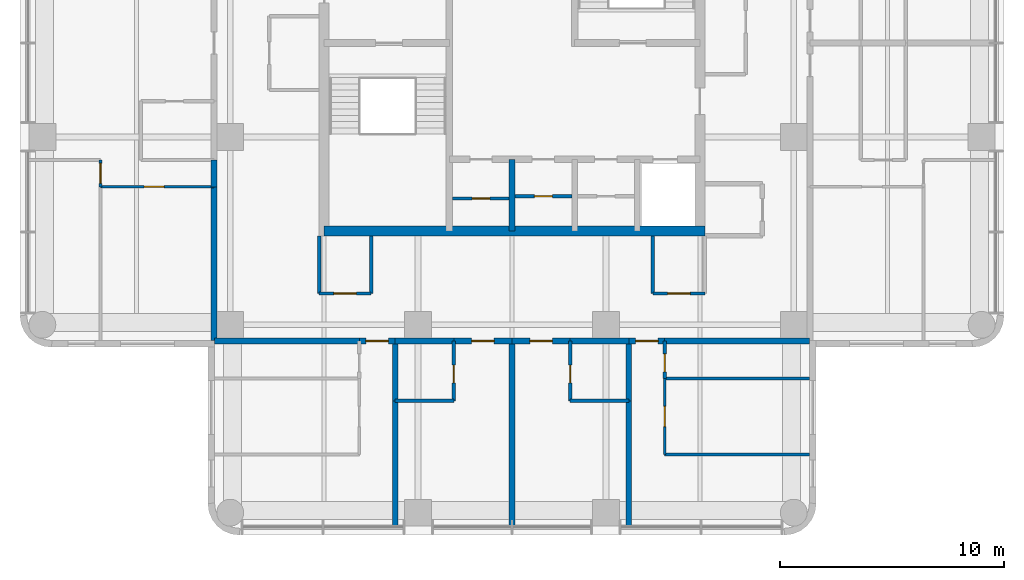
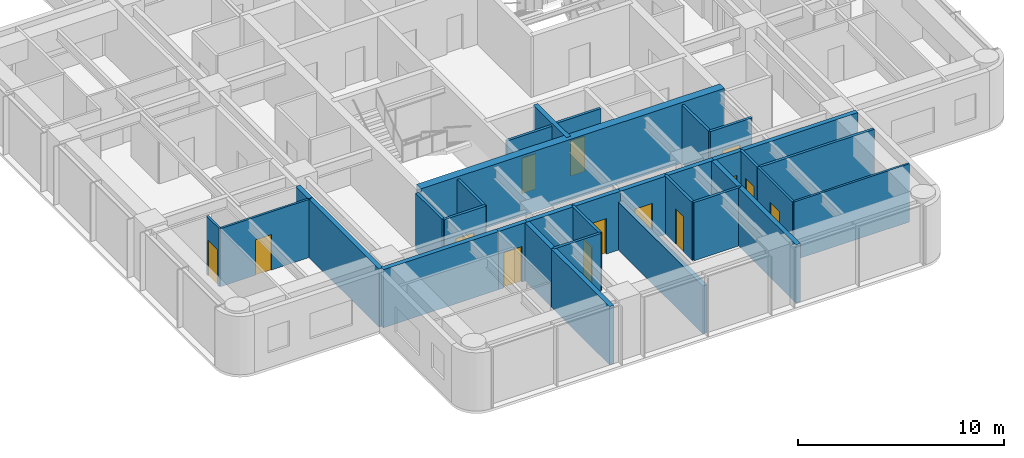
# One storey, part 4 of 10: 34 walls, 14 doors, 14 openings.
"""IFC4 building model written with IfcOpenShell, lengths in metres."""

from ifc_helpers import new_model, si_unit, direction, frame, frame_2d, origin, place, context, subcontext, project, spatial, rectangle, extrude, material, layer, layer_set, type_object, element, fill, save


model = new_model("IFC4")

# Units and contexts
model_context = context("Model", 3, precision=1e-05, world=origin(), true_north=direction((0.0, 1.0)))
body_context = subcontext(model_context, "Body", "Model", "MODEL_VIEW")
ifc_project = project(units=[si_unit("LENGTHUNIT", "METRE"), si_unit("AREAUNIT", "SQUARE_METRE"), si_unit("VOLUMEUNIT", "CUBIC_METRE"), si_unit("PLANEANGLEUNIT", "RADIAN"), si_unit("MASSUNIT", "GRAM", prefix="KILO")], contexts=[model_context])

# Site, building, storey
site_placement = place(None, origin())
site = spatial("IfcSite", under=ifc_project, at=site_placement, CompositionType="ELEMENT")
building_placement = place(site_placement, origin())
building = spatial("IfcBuilding", under=site, at=building_placement, Name="Torre Alcanfor", CompositionType="ELEMENT")
storey_placement = place(building_placement, frame((0.0, 0.0, 272.10009765625)))
storey = spatial("IfcBuildingStorey", under=building, at=storey_placement, Name="L71", CompositionType="ELEMENT", Elevation=272.10009765625)

# Wall, opening, door
ifc_material_1 = material(Name="Concrete block masonry, hollow blocks NMX-C-404 9 MPa", Category="masonry")
ifc_layer_1 = layer(ifc_material_1, 0.25)
ifc_layer_set_1 = layer_set([ifc_layer_1], Name="Apartment entrance wall 250 EI 60")
wall_type_1 = type_object("IfcWallType", Name="Apartment entrance wall 250 EI 60", PredefinedType="PARTITIONING", material=ifc_layer_set_1)
wall_1_placement = place(storey_placement, frame((32.0, 16.074951171875, 0.0), z_axis=(0.0, 0.0, 1.0), x_axis=(-1.0, 0.0, 0.0)))
wall_1 = element("IfcWall", 1, at=wall_1_placement, inside=storey, type_object=wall_type_1, Name="Partition L71-CORR / L71-S1A-STUDIO", PredefinedType="PARTITIONING", context=body_context, shape_type="SweptSolid", body=[
    extrude(rectangle(XDim=2.60009765625, YDim=0.25, at=frame_2d((1.300048828125, 0.0))), origin(), (0.0, 0.0, 1.0), 3.449951171875),
])
opening_1_placement = place(wall_1_placement, frame((0.800048828125, 0.0, 0.0)))
opening_1 = element("IfcOpeningElement", 2, at=opening_1_placement, cuts=wall_1, Name="Opening D-A1", PredefinedType="OPENING", context=body_context, shape_type="SweptSolid", body=[
    extrude(rectangle(XDim=1.0, YDim=2.10009765625, at=frame_2d((0.5, 1.050048828125))), frame((0.0, 0.135009765625, 0.0), z_axis=(0.0, -1.0, 0.0), x_axis=(1.0, 0.0, 0.0)), (0.0, 0.0, 1.0), 0.27001953125),
])
ifc_material_2 = material(Name="Galvanised steel sheet ASTM A653", Category="steel")
door_type_1 = type_object("IfcDoorType", Name="Apartment entrance door FD60 1000x2100", OperationType="SINGLE_SWING_LEFT", PredefinedType="DOOR", material=ifc_material_2)
door_1_placement = place(opening_1_placement, origin())
door_1 = element("IfcDoor", 3, at=door_1_placement, inside=storey, type_object=door_type_1, Name="Apartment entrance L71-S1A", OperationType="SINGLE_SWING_LEFT", OverallHeight=2.10009765625, OverallWidth=1.0, PredefinedType="DOOR", context=body_context, shape_type="SweptSolid", body=[
    extrude(rectangle(XDim=1.0, YDim=2.10009765625, at=frame_2d((0.5, 1.050048828125))), frame((0.0, 0.02490234375, 0.0), z_axis=(0.0, -1.0, 0.0), x_axis=(1.0, 0.0, 0.0)), (0.0, 0.0, 1.0), 0.050048828125),
])
fill(opening_1, door_1)

# Wall
wall_2_placement = place(storey_placement, frame((34.62890625, 16.074951171875, 0.0), z_axis=(0.0, 0.0, 1.0), x_axis=(-1.0, 0.0, 0.0)))
element("IfcWall", 4, at=wall_2_placement, inside=storey, type_object=wall_type_1, Name="Partition L71-CORR / L71-S1A-BATH", PredefinedType="PARTITIONING", context=body_context, shape_type="SweptSolid", body=[
    extrude(rectangle(XDim=2.62890625, YDim=0.25, at=frame_2d((1.314453125, 0.0))), origin(), (0.0, 0.0, 1.0), 3.449951171875),
])

# Wall, opening, door
wall_3_placement = place(storey_placement, frame((36.22900390625, 16.074951171875, 0.0), z_axis=(0.0, 0.0, 1.0), x_axis=(-1.0, 0.0, 0.0)))
wall_3 = element("IfcWall", 5, at=wall_3_placement, inside=storey, type_object=wall_type_1, Name="Partition L71-CORR / L71-S1B-LIVING", PredefinedType="PARTITIONING", context=body_context, shape_type="SweptSolid", body=[
    extrude(rectangle(XDim=1.60009765625, YDim=0.25, at=frame_2d((0.800048828125, 0.0))), origin(), (0.0, 0.0, 1.0), 3.449951171875),
])
opening_2_placement = place(wall_3_placement, frame((0.300048828125, 0.0, 0.0)))
opening_2 = element("IfcOpeningElement", 6, at=opening_2_placement, cuts=wall_3, Name="Opening D-A1", PredefinedType="OPENING", context=body_context, shape_type="SweptSolid", body=[
    extrude(rectangle(XDim=1.0, YDim=2.10009765625, at=frame_2d((0.5, 1.050048828125))), frame((0.0, 0.135009765625, 0.0), z_axis=(0.0, -1.0, 0.0), x_axis=(1.0, 0.0, 0.0)), (0.0, 0.0, 1.0), 0.27001953125),
])
door_2_placement = place(opening_2_placement, origin())
door_2 = element("IfcDoor", 7, at=door_2_placement, inside=storey, type_object=door_type_1, Name="Apartment entrance L71-S1B", OperationType="SINGLE_SWING_LEFT", OverallHeight=2.10009765625, OverallWidth=1.0, PredefinedType="DOOR", context=body_context, shape_type="SweptSolid", body=[
    extrude(rectangle(XDim=1.0, YDim=2.10009765625, at=frame_2d((0.5, 1.050048828125))), frame((0.0, 0.02490234375, 0.0), z_axis=(0.0, -1.0, 0.0), x_axis=(1.0, 0.0, 0.0)), (0.0, 0.0, 1.0), 0.050048828125),
])
fill(opening_2, door_2)

# Wall
wall_4_placement = place(storey_placement, frame((42.699951171875, 16.074951171875, 0.0), z_axis=(0.0, 0.0, 1.0), x_axis=(-1.0, 0.0, 0.0)))
element("IfcWall", 8, at=wall_4_placement, inside=storey, type_object=wall_type_1, Name="Partition L71-CORR / L71-S1B-BATH", PredefinedType="PARTITIONING", context=body_context, shape_type="SweptSolid", body=[
    extrude(rectangle(XDim=6.470947265625, YDim=0.25, at=frame_2d((3.2353515625, 0.0))), origin(), (0.0, 0.0, 1.0), 3.449951171875),
])

# Wall, opening, door
wall_5_placement = place(storey_placement, frame((29.39990234375, 16.074951171875, 0.0), z_axis=(0.0, 0.0, 1.0), x_axis=(-1.0, 0.0, 0.0)))
wall_5 = element("IfcWall", 9, at=wall_5_placement, inside=storey, type_object=wall_type_1, Name="Partition L71-CORR / L71-S2A-STUDIO", PredefinedType="PARTITIONING", context=body_context, shape_type="SweptSolid", body=[
    extrude(rectangle(XDim=2.599853515625, YDim=0.25, at=frame_2d((1.2998046875, 0.0))), origin(), (0.0, 0.0, 1.0), 3.449951171875),
])
opening_3_placement = place(wall_5_placement, frame((0.800048828125, 0.0, 0.0)))
opening_3 = element("IfcOpeningElement", 10, at=opening_3_placement, cuts=wall_5, Name="Opening D-A1", PredefinedType="OPENING", context=body_context, shape_type="SweptSolid", body=[
    extrude(rectangle(XDim=1.0, YDim=2.10009765625, at=frame_2d((0.5, 1.050048828125))), frame((0.0, 0.135009765625, 0.0), z_axis=(0.0, -1.0, 0.0), x_axis=(1.0, 0.0, 0.0)), (0.0, 0.0, 1.0), 0.27001953125),
])
door_3_placement = place(opening_3_placement, origin())
door_3 = element("IfcDoor", 11, at=door_3_placement, inside=storey, type_object=door_type_1, Name="Apartment entrance L71-S2A", OperationType="SINGLE_SWING_LEFT", OverallHeight=2.10009765625, OverallWidth=1.0, PredefinedType="DOOR", context=body_context, shape_type="SweptSolid", body=[
    extrude(rectangle(XDim=1.0, YDim=2.10009765625, at=frame_2d((0.5, 1.050048828125))), frame((0.0, 0.02490234375, 0.0), z_axis=(0.0, -1.0, 0.0), x_axis=(1.0, 0.0, 0.0)), (0.0, 0.0, 1.0), 0.050048828125),
])
fill(opening_3, door_3)

# Wall
wall_6_placement = place(storey_placement, frame((26.800048828125, 16.074951171875, 0.0), z_axis=(0.0, 0.0, 1.0), x_axis=(-1.0, 0.0, 0.0)))
element("IfcWall", 12, at=wall_6_placement, inside=storey, type_object=wall_type_1, Name="Partition L71-CORR / L71-S2A-BATH", PredefinedType="PARTITIONING", context=body_context, shape_type="SweptSolid", body=[
    extrude(rectangle(XDim=2.629150390625, YDim=0.25, at=frame_2d((1.314453125, 0.0))), origin(), (0.0, 0.0, 1.0), 3.449951171875),
])

# Wall, opening, door
wall_7_placement = place(storey_placement, frame((24.1708984375, 16.074951171875, 0.0), z_axis=(0.0, 0.0, 1.0), x_axis=(-1.0, 0.0, 0.0)))
wall_7 = element("IfcWall", 13, at=wall_7_placement, inside=storey, type_object=wall_type_1, Name="Partition L71-CORR / L71-S2B-LIVING", PredefinedType="PARTITIONING", context=body_context, shape_type="SweptSolid", body=[
    extrude(rectangle(XDim=1.599853515625, YDim=0.25, at=frame_2d((0.7998046875, 0.0))), origin(), (0.0, 0.0, 1.0), 3.449951171875),
])
opening_4_placement = place(wall_7_placement, frame((0.300048828125, 0.0, 0.0)))
opening_4 = element("IfcOpeningElement", 14, at=opening_4_placement, cuts=wall_7, Name="Opening D-A1", PredefinedType="OPENING", context=body_context, shape_type="SweptSolid", body=[
    extrude(rectangle(XDim=1.0, YDim=2.10009765625, at=frame_2d((0.5, 1.050048828125))), frame((0.0, 0.135009765625, 0.0), z_axis=(0.0, -1.0, 0.0), x_axis=(1.0, 0.0, 0.0)), (0.0, 0.0, 1.0), 0.27001953125),
])
door_4_placement = place(opening_4_placement, origin())
door_4 = element("IfcDoor", 15, at=door_4_placement, inside=storey, type_object=door_type_1, Name="Apartment entrance L71-S2B", OperationType="SINGLE_SWING_LEFT", OverallHeight=2.10009765625, OverallWidth=1.0, PredefinedType="DOOR", context=body_context, shape_type="SweptSolid", body=[
    extrude(rectangle(XDim=1.0, YDim=2.10009765625, at=frame_2d((0.5, 1.050048828125))), frame((0.0, 0.02490234375, 0.0), z_axis=(0.0, -1.0, 0.0), x_axis=(1.0, 0.0, 0.0)), (0.0, 0.0, 1.0), 0.050048828125),
])
fill(opening_4, door_4)

# Walls
wall_8_placement = place(storey_placement, frame((22.571044921875, 16.074951171875, 0.0), z_axis=(0.0, 0.0, 1.0), x_axis=(-1.0, 0.0, 0.0)))
element("IfcWall", 16, at=wall_8_placement, inside=storey, type_object=wall_type_1, Name="Partition L71-CORR / L71-S2B-BATH", PredefinedType="PARTITIONING", context=body_context, shape_type="SweptSolid", body=[
    extrude(rectangle(XDim=6.470947265625, YDim=0.25, at=frame_2d((3.2353515625, 0.0))), origin(), (0.0, 0.0, 1.0), 3.449951171875),
])
wall_9_placement = place(storey_placement, frame((16.074951171875, 22.970947265625, 0.0), z_axis=(0.0, 0.0, 1.0), x_axis=(0.0, 1.0, 0.0)))
element("IfcWall", 17, at=wall_9_placement, inside=storey, type_object=wall_type_1, Name="Partition L71-CORR / L71-WX-LIVING", PredefinedType="PARTITIONING", context=body_context, shape_type="SweptSolid", body=[
    extrude(rectangle(XDim=1.199951171875, YDim=0.25, at=frame_2d((0.60009765625, 0.0))), origin(), (0.0, 0.0, 1.0), 3.449951171875),
])
wall_10_placement = place(storey_placement, frame((16.074951171875, 16.10009765625, 0.0), z_axis=(0.0, 0.0, 1.0), x_axis=(0.0, 1.0, 0.0)))
element("IfcWall", 18, at=wall_10_placement, inside=storey, type_object=wall_type_1, Name="Partition L71-CORR / L71-WX-BED2", PredefinedType="PARTITIONING", context=body_context, shape_type="SweptSolid", body=[
    extrude(rectangle(XDim=6.870849609375, YDim=0.25, at=frame_2d((3.435546875, 0.0))), origin(), (0.0, 0.0, 1.0), 3.449951171875),
])

# Wall, opening, door
ifc_material_3 = material(Name="Gypsum board on steel studs", Category="steel")
ifc_layer_2 = layer(ifc_material_3, 0.1201171875)
ifc_layer_set_2 = layer_set([ifc_layer_2], Name="Apartment partition 120")
wall_type_2 = type_object("IfcWallType", Name="Apartment partition 120", PredefinedType="PARTITIONING", material=ifc_layer_set_2)
wall_11_placement = place(storey_placement, frame((36.22900390625, 14.39990234375, 0.0), z_axis=(0.0, 0.0, 1.0), x_axis=(0.0, -1.0, 0.0)))
wall_11 = element("IfcWall", 19, at=wall_11_placement, inside=storey, type_object=wall_type_2, Name="Partition L71-S1B-LIVING / L71-S1B-MASTER", PredefinedType="PARTITIONING", context=body_context, shape_type="SweptSolid", body=[
    extrude(rectangle(XDim=3.39990234375, YDim=0.1201171875, at=frame_2d((1.699951171875, 0.0))), origin(), (0.0, 0.0, 1.0), 3.449951171875),
])
opening_5_placement = place(wall_11_placement, frame((1.25, 0.0, 0.0)))
opening_5 = element("IfcOpeningElement", 20, at=opening_5_placement, cuts=wall_11, Name="Opening D-R1", PredefinedType="OPENING", context=body_context, shape_type="SweptSolid", body=[
    extrude(rectangle(XDim=0.89990234375, YDim=2.10009765625, at=frame_2d((0.449951171875, 1.050048828125))), frame((0.0, 0.070068359375, 0.0), z_axis=(0.0, -1.0, 0.0), x_axis=(1.0, 0.0, 0.0)), (0.0, 0.0, 1.0), 0.14013671875),
])
ifc_material_4 = material(Name="Timber", Category="wood")
door_type_2 = type_object("IfcDoorType", Name="Internal door 900x2100", OperationType="SINGLE_SWING_LEFT", PredefinedType="DOOR", material=ifc_material_4)
door_5_placement = place(opening_5_placement, origin())
door_5 = element("IfcDoor", 21, at=door_5_placement, inside=storey, type_object=door_type_2, Name="Door L71-S1B master", OperationType="SINGLE_SWING_LEFT", OverallHeight=2.10009765625, OverallWidth=0.89990234375, PredefinedType="DOOR", context=body_context, shape_type="SweptSolid", body=[
    extrude(rectangle(XDim=0.89990234375, YDim=2.10009765625, at=frame_2d((0.449951171875, 1.050048828125))), frame((0.0, 0.02490234375, 0.0), z_axis=(0.0, -1.0, 0.0), x_axis=(1.0, 0.0, 0.0)), (0.0, 0.0, 1.0), 0.050048828125),
])
fill(opening_5, door_5)

# Wall
wall_12_placement = place(storey_placement, frame((36.22900390625, 11.0, 0.0), z_axis=(0.0, 0.0, 1.0), x_axis=(1.0, 0.0, 0.0)))
element("IfcWall", 22, at=wall_12_placement, inside=storey, type_object=wall_type_2, Name="Partition L71-S1B-LIVING / L71-S1B-MASTER", PredefinedType="PARTITIONING", context=body_context, shape_type="SweptSolid", body=[
    extrude(rectangle(XDim=6.470947265625, YDim=0.1201171875, at=frame_2d((3.2353515625, 0.0))), origin(), (0.0, 0.0, 1.0), 3.449951171875),
])

# Wall, opening, door
wall_13_placement = place(storey_placement, frame((16.074951171875, 22.970947265625, 0.0), z_axis=(0.0, 0.0, 1.0), x_axis=(-1.0, 0.0, 0.0)))
wall_13 = element("IfcWall", 23, at=wall_13_placement, inside=storey, type_object=wall_type_2, Name="Partition L71-WX-LIVING / L71-WX-BED2", PredefinedType="PARTITIONING", context=body_context, shape_type="SweptSolid", body=[
    extrude(rectangle(XDim=5.074951171875, YDim=0.1201171875, at=frame_2d((2.53759765625, 0.0))), origin(), (0.0, 0.0, 1.0), 3.449951171875),
])
opening_6_placement = place(wall_13_placement, frame((2.22509765625, 0.0, 0.0)))
opening_6 = element("IfcOpeningElement", 24, at=opening_6_placement, cuts=wall_13, Name="Opening D-R1", PredefinedType="OPENING", context=body_context, shape_type="SweptSolid", body=[
    extrude(rectangle(XDim=0.89990234375, YDim=2.10009765625, at=frame_2d((0.449951171875, 1.050048828125))), frame((0.0, 0.070068359375, 0.0), z_axis=(0.0, -1.0, 0.0), x_axis=(1.0, 0.0, 0.0)), (0.0, 0.0, 1.0), 0.14013671875),
])
door_6_placement = place(opening_6_placement, origin())
door_6 = element("IfcDoor", 25, at=door_6_placement, inside=storey, type_object=door_type_2, Name="Door L71-WX bed2", OperationType="SINGLE_SWING_RIGHT", OverallHeight=2.10009765625, OverallWidth=0.89990234375, PredefinedType="DOOR", context=body_context, shape_type="SweptSolid", body=[
    extrude(rectangle(XDim=0.89990234375, YDim=2.10009765625, at=frame_2d((0.449951171875, 1.050048828125))), frame((0.0, 0.02490234375, 0.0), z_axis=(0.0, -1.0, 0.0), x_axis=(1.0, 0.0, 0.0)), (0.0, 0.0, 1.0), 0.050048828125),
])
fill(opening_6, door_6)

wall_14_placement = place(storey_placement, frame((11.0, 22.970947265625, 0.0), z_axis=(0.0, 0.0, 1.0), x_axis=(0.0, 1.0, 0.0)))
wall_14 = element("IfcWall", 26, at=wall_14_placement, inside=storey, type_object=wall_type_2, Name="Partition L71-WX-LIVING / L71-WX-MASTER", PredefinedType="PARTITIONING", context=body_context, shape_type="SweptSolid", body=[
    extrude(rectangle(XDim=1.199951171875, YDim=0.1201171875, at=frame_2d((0.60009765625, 0.0))), origin(), (0.0, 0.0, 1.0), 3.449951171875),
])
opening_7_placement = place(wall_14_placement, frame((0.14892578125, 0.0, 0.0)))
opening_7 = element("IfcOpeningElement", 27, at=opening_7_placement, cuts=wall_14, Name="Opening D-R1", PredefinedType="OPENING", context=body_context, shape_type="SweptSolid", body=[
    extrude(rectangle(XDim=0.89990234375, YDim=2.10009765625, at=frame_2d((0.449951171875, 1.050048828125))), frame((0.0, 0.070068359375, 0.0), z_axis=(0.0, -1.0, 0.0), x_axis=(1.0, 0.0, 0.0)), (0.0, 0.0, 1.0), 0.14013671875),
])
door_7_placement = place(opening_7_placement, origin())
door_7 = element("IfcDoor", 28, at=door_7_placement, inside=storey, type_object=door_type_2, Name="Door L71-WX master", OperationType="SINGLE_SWING_RIGHT", OverallHeight=2.10009765625, OverallWidth=0.89990234375, PredefinedType="DOOR", context=body_context, shape_type="SweptSolid", body=[
    extrude(rectangle(XDim=0.89990234375, YDim=2.10009765625, at=frame_2d((0.449951171875, 1.050048828125))), frame((0.0, 0.02490234375, 0.0), z_axis=(0.0, -1.0, 0.0), x_axis=(1.0, 0.0, 0.0)), (0.0, 0.0, 1.0), 0.050048828125),
])
fill(opening_7, door_7)

# Walls
ifc_material_5 = material(Name="Concrete f'c 70 MPa", Category="concrete")
ifc_layer_3 = layer(ifc_material_5, 0.25)
ifc_layer_set_3 = layer_set([ifc_layer_3], Name="Core shaft wall 250 f'c70")
wall_type_3 = type_object("IfcWallType", Name="Core shaft wall 250 f'c70", PredefinedType="SHEAR", material=ifc_layer_set_3)
wall_15_placement = place(storey_placement, frame((29.39990234375, 21.0, 0.0), z_axis=(0.0, 0.0, 1.0), x_axis=(0.0, 1.0, 0.0)))
element("IfcWall", 29, at=wall_15_placement, inside=storey, type_object=wall_type_3, Name="Core wall X294S L71", PredefinedType="SHEAR", context=body_context, shape_type="SweptSolid", body=[
    extrude(rectangle(XDim=3.199951171875, YDim=0.25, at=frame_2d((1.60009765625, 0.0))), origin(), (0.0, 0.0, 1.0), 3.599853515625),
])
ifc_material_6 = material(Name="Concrete f'c 70 MPa", Category="concrete")
ifc_layer_4 = layer(ifc_material_6, 0.449951171875)
ifc_layer_set_4 = layer_set([ifc_layer_4], Name="Core wall 450 f'c70")
wall_type_4 = type_object("IfcWallType", Name="Core wall 450 f'c70", PredefinedType="SHEAR", material=ifc_layer_set_4)
wall_16_placement = place(storey_placement, frame((21.0, 21.0, 0.0), z_axis=(0.0, 0.0, 1.0), x_axis=(1.0, 0.0, 0.0)))
element("IfcWall", 30, at=wall_16_placement, inside=storey, type_object=wall_type_4, Name="Core wall OUT-S L71", PredefinedType="SHEAR", context=body_context, shape_type="SweptSolid", body=[
    extrude(rectangle(XDim=17.02490234375, YDim=0.449951171875, at=frame_2d((8.512451171875, 0.0))), origin(), (0.0, 0.0, 1.0), 3.599853515625),
])
ifc_material_7 = material(Name="Concrete block masonry, hollow blocks NMX-C-404 9 MPa", Category="masonry")
ifc_layer_5 = layer(ifc_material_7, 0.25)
ifc_layer_set_5 = layer_set([ifc_layer_5], Name="Party wall 250 EI 60")
wall_type_5 = type_object("IfcWallType", Name="Party wall 250 EI 60", PredefinedType="PARTITIONING", material=ifc_layer_set_5)
wall_17_placement = place(storey_placement, frame((34.62890625, 13.39990234375, 0.0), z_axis=(0.0, 0.0, 1.0), x_axis=(0.0, -1.0, 0.0)))
element("IfcWall", 31, at=wall_17_placement, inside=storey, type_object=wall_type_5, Name="Partition L71-S1A-STUDIO / L71-S1B-LIVING", PredefinedType="PARTITIONING", context=body_context, shape_type="SweptSolid", body=[
    extrude(rectangle(XDim=5.64990234375, YDim=0.25, at=frame_2d((2.824951171875, 0.0))), origin(), (0.0, 0.0, 1.0), 3.449951171875),
])
wall_18_placement = place(storey_placement, frame((29.39990234375, 7.75, 0.0), z_axis=(0.0, 0.0, 1.0), x_axis=(0.0, 1.0, 0.0)))
element("IfcWall", 32, at=wall_18_placement, inside=storey, type_object=wall_type_5, Name="Partition L71-S1A-STUDIO / L71-S2A-STUDIO", PredefinedType="PARTITIONING", context=body_context, shape_type="SweptSolid", body=[
    extrude(rectangle(XDim=8.324951171875, YDim=0.25, at=frame_2d((4.16259765625, 0.0))), origin(), (0.0, 0.0, 1.0), 2.847900390625),
])
wall_19_placement = place(storey_placement, frame((34.62890625, 13.39990234375, 0.0), z_axis=(0.0, 0.0, 1.0), x_axis=(0.0, 1.0, 0.0)))
element("IfcWall", 33, at=wall_19_placement, inside=storey, type_object=wall_type_5, Name="Partition L71-S1A-BATH / L71-S1B-LIVING", PredefinedType="PARTITIONING", context=body_context, shape_type="SweptSolid", body=[
    extrude(rectangle(XDim=2.675048828125, YDim=0.25, at=frame_2d((1.33740234375, 0.0))), origin(), (0.0, 0.0, 1.0), 3.449951171875),
])
wall_20_placement = place(storey_placement, frame((24.1708984375, 7.75, 0.0), z_axis=(0.0, 0.0, 1.0), x_axis=(0.0, 1.0, 0.0)))
element("IfcWall", 34, at=wall_20_placement, inside=storey, type_object=wall_type_5, Name="Partition L71-S2A-STUDIO / L71-S2B-LIVING", PredefinedType="PARTITIONING", context=body_context, shape_type="SweptSolid", body=[
    extrude(rectangle(XDim=5.64990234375, YDim=0.25, at=frame_2d((2.824951171875, 0.0))), origin(), (0.0, 0.0, 1.0), 3.449951171875),
])
wall_21_placement = place(storey_placement, frame((24.1708984375, 13.39990234375, 0.0), z_axis=(0.0, 0.0, 1.0), x_axis=(0.0, 1.0, 0.0)))
element("IfcWall", 35, at=wall_21_placement, inside=storey, type_object=wall_type_5, Name="Partition L71-S2A-BATH / L71-S2B-LIVING", PredefinedType="PARTITIONING", context=body_context, shape_type="SweptSolid", body=[
    extrude(rectangle(XDim=2.675048828125, YDim=0.25, at=frame_2d((1.33740234375, 0.0))), origin(), (0.0, 0.0, 1.0), 3.449951171875),
])
ifc_material_8 = material(Name="Concrete block masonry, hollow blocks NMX-C-404 9 MPa", Category="masonry")
ifc_layer_6 = layer(ifc_material_8, 0.14990234375)
ifc_layer_set_6 = layer_set([ifc_layer_6], Name="Residents' room partition 150")
wall_type_6 = type_object("IfcWallType", Name="Residents' room partition 150", PredefinedType="PARTITIONING", material=ifc_layer_set_6)
wall_22_placement = place(storey_placement, frame((20.77490234375, 20.77490234375, 0.0), z_axis=(0.0, 0.0, 1.0), x_axis=(0.0, -1.0, 0.0)))
element("IfcWall", 36, at=wall_22_placement, inside=storey, type_object=wall_type_6, Name="Partition L71-CORR / L71-G05", PredefinedType="PARTITIONING", context=body_context, shape_type="SweptSolid", body=[
    extrude(rectangle(XDim=2.574951171875, YDim=0.14990234375, at=frame_2d((1.28759765625, 0.0))), origin(), (0.0, 0.0, 1.0), 3.449951171875),
])

# Wall, opening, door
wall_23_placement = place(storey_placement, frame((20.77490234375, 18.199951171875, 0.0), z_axis=(0.0, 0.0, 1.0), x_axis=(1.0, 0.0, 0.0)))
wall_23 = element("IfcWall", 37, at=wall_23_placement, inside=storey, type_object=wall_type_6, Name="Partition L71-CORR / L71-G05", PredefinedType="PARTITIONING", context=body_context, shape_type="SweptSolid", body=[
    extrude(rectangle(XDim=2.3251953125, YDim=0.14990234375, at=frame_2d((1.16259765625, 0.0))), origin(), (0.0, 0.0, 1.0), 3.449951171875),
])
opening_8_placement = place(wall_23_placement, frame((0.66259765625, 0.0, 0.0)))
opening_8 = element("IfcOpeningElement", 38, at=opening_8_placement, cuts=wall_23, Name="Opening D-M1", PredefinedType="OPENING", context=body_context, shape_type="SweptSolid", body=[
    extrude(rectangle(XDim=1.0, YDim=2.10009765625, at=frame_2d((0.5, 1.050048828125))), frame((0.0, 0.0849609375, 0.0), z_axis=(0.0, -1.0, 0.0), x_axis=(1.0, 0.0, 0.0)), (0.0, 0.0, 1.0), 0.169921875),
])
ifc_material_9 = material(Name="Timber", Category="wood")
door_type_3 = type_object("IfcDoorType", Name="Residents' room door 1000x2100", OperationType="SINGLE_SWING_LEFT", PredefinedType="DOOR", material=ifc_material_9)
door_8_placement = place(opening_8_placement, origin())
door_8 = element("IfcDoor", 39, at=door_8_placement, inside=storey, type_object=door_type_3, Name="Door L71-G05 residents' lockers", OperationType="SINGLE_SWING_LEFT", OverallHeight=2.10009765625, OverallWidth=1.0, PredefinedType="DOOR", context=body_context, shape_type="SweptSolid", body=[
    extrude(rectangle(XDim=1.0, YDim=2.10009765625, at=frame_2d((0.5, 1.050048828125))), frame((0.0, 0.02490234375, 0.0), z_axis=(0.0, -1.0, 0.0), x_axis=(1.0, 0.0, 0.0)), (0.0, 0.0, 1.0), 0.050048828125),
])
fill(opening_8, door_8)

# Walls
for number, where, z_axis, x_axis, name in (
    (40, (23.10009765625, 18.199951171875, 0.0), (0.0, 0.0, 1.0), (0.0, 1.0, 0.0), "Partition L71-CORR / L71-G05"),
    (41, (35.699951171875, 20.77490234375, 0.0), (0.0, 0.0, 1.0), (0.0, -1.0, 0.0), "Partition L71-CORR / L71-G06"),
):
    element("IfcWall", number, at=place(storey_placement, frame(where, z_axis=z_axis, x_axis=x_axis)), inside=storey, type_object=wall_type_6, Name=name, PredefinedType="PARTITIONING", context=body_context, shape_type="SweptSolid", body=[
        extrude(rectangle(XDim=2.574951171875, YDim=0.14990234375, at=frame_2d((1.28759765625, 0.0))), origin(), (0.0, 0.0, 1.0), 3.449951171875),
    ])

# Wall, opening, door
wall_24_placement = place(storey_placement, frame((35.699951171875, 18.199951171875, 0.0), z_axis=(0.0, 0.0, 1.0), x_axis=(1.0, 0.0, 0.0)))
wall_24 = element("IfcWall", 42, at=wall_24_placement, inside=storey, type_object=wall_type_6, Name="Partition L71-CORR / L71-G06", PredefinedType="PARTITIONING", context=body_context, shape_type="SweptSolid", body=[
    extrude(rectangle(XDim=2.324951171875, YDim=0.14990234375, at=frame_2d((1.16259765625, 0.0))), origin(), (0.0, 0.0, 1.0), 3.449951171875),
])
opening_9_placement = place(wall_24_placement, frame((0.66259765625, 0.0, 0.0)))
opening_9 = element("IfcOpeningElement", 43, at=opening_9_placement, cuts=wall_24, Name="Opening D-M1", PredefinedType="OPENING", context=body_context, shape_type="SweptSolid", body=[
    extrude(rectangle(XDim=1.0, YDim=2.10009765625, at=frame_2d((0.5, 1.050048828125))), frame((0.0, 0.0849609375, 0.0), z_axis=(0.0, -1.0, 0.0), x_axis=(1.0, 0.0, 0.0)), (0.0, 0.0, 1.0), 0.169921875),
])
door_9_placement = place(opening_9_placement, origin())
door_9 = element("IfcDoor", 44, at=door_9_placement, inside=storey, type_object=door_type_3, Name="Door L71-G06 residents' storage", OperationType="SINGLE_SWING_LEFT", OverallHeight=2.10009765625, OverallWidth=1.0, PredefinedType="DOOR", context=body_context, shape_type="SweptSolid", body=[
    extrude(rectangle(XDim=1.0, YDim=2.10009765625, at=frame_2d((0.5, 1.050048828125))), frame((0.0, 0.02490234375, 0.0), z_axis=(0.0, -1.0, 0.0), x_axis=(1.0, 0.0, 0.0)), (0.0, 0.0, 1.0), 0.050048828125),
])
fill(opening_9, door_9)

wall_25_placement = place(storey_placement, frame((26.75, 22.449951171875, 0.0), z_axis=(0.0, 0.0, 1.0), x_axis=(1.0, 0.0, 0.0)))
wall_25 = element("IfcWall", 45, at=wall_25_placement, inside=storey, type_object=wall_type_6, Name="Partition L71-PA1R / L71-PA1C", PredefinedType="PARTITIONING", context=body_context, shape_type="SweptSolid", body=[
    extrude(rectangle(XDim=2.52490234375, YDim=0.14990234375, at=frame_2d((1.262451171875, 0.0))), origin(), (0.0, 0.0, 1.0), 3.449951171875),
])
opening_10_placement = place(wall_25_placement, frame((0.862548828125, 0.0, 0.0)))
opening_10 = element("IfcOpeningElement", 46, at=opening_10_placement, cuts=wall_25, Name="Opening D-R2", PredefinedType="OPENING", context=body_context, shape_type="SweptSolid", body=[
    extrude(rectangle(XDim=0.800048828125, YDim=2.10009765625, at=frame_2d((0.39990234375, 1.050048828125))), frame((0.0, 0.0849609375, 0.0), z_axis=(0.0, -1.0, 0.0), x_axis=(1.0, 0.0, 0.0)), (0.0, 0.0, 1.0), 0.169921875),
])
ifc_material_10 = material(Name="Timber", Category="wood")
door_type_4 = type_object("IfcDoorType", Name="Bathroom door 800x2100", OperationType="SINGLE_SWING_LEFT", PredefinedType="DOOR", material=ifc_material_10)
door_10_placement = place(opening_10_placement, frame((0.800048828125, 0.0, 0.0), z_axis=(0.0, 0.0, 1.0), x_axis=(-1.0, 0.0, 0.0)))
door_10 = element("IfcDoor", 47, at=door_10_placement, inside=storey, type_object=door_type_4, Name="Linen cupboard door L71", OperationType="SINGLE_SWING_RIGHT", OverallHeight=2.10009765625, OverallWidth=0.800048828125, PredefinedType="DOOR", context=body_context, shape_type="SweptSolid", body=[
    extrude(rectangle(XDim=0.800048828125, YDim=2.10009765625, at=frame_2d((0.400146484375, 1.050048828125))), frame((0.0, 0.025146484375, 0.0), z_axis=(0.0, -1.0, 0.0), x_axis=(1.0, 0.0, 0.0)), (0.0, 0.0, 1.0), 0.050048828125),
])
fill(opening_10, door_10)

wall_26_placement = place(storey_placement, frame((29.52490234375, 22.550048828125, 0.0), z_axis=(0.0, 0.0, 1.0), x_axis=(1.0, 0.0, 0.0)))
wall_26 = element("IfcWall", 48, at=wall_26_placement, inside=storey, type_object=wall_type_6, Name="Partition L71-PA2R / L71-PA2C", PredefinedType="PARTITIONING", context=body_context, shape_type="SweptSolid", body=[
    extrude(rectangle(XDim=2.550048828125, YDim=0.14990234375, at=frame_2d((1.27490234375, 0.0))), origin(), (0.0, 0.0, 1.0), 3.449951171875),
])
opening_11_placement = place(wall_26_placement, frame((0.875, 0.0, 0.0)))
opening_11 = element("IfcOpeningElement", 49, at=opening_11_placement, cuts=wall_26, Name="Opening D-R2", PredefinedType="OPENING", context=body_context, shape_type="SweptSolid", body=[
    extrude(rectangle(XDim=0.800048828125, YDim=2.10009765625, at=frame_2d((0.39990234375, 1.050048828125))), frame((0.0, 0.0849609375, 0.0), z_axis=(0.0, -1.0, 0.0), x_axis=(1.0, 0.0, 0.0)), (0.0, 0.0, 1.0), 0.169921875),
])
door_11_placement = place(opening_11_placement, frame((0.800048828125, 0.0, 0.0), z_axis=(0.0, 0.0, 1.0), x_axis=(-1.0, 0.0, 0.0)))
door_11 = element("IfcDoor", 50, at=door_11_placement, inside=storey, type_object=door_type_4, Name="Cleaners' cupboard door L71", OperationType="SINGLE_SWING_RIGHT", OverallHeight=2.10009765625, OverallWidth=0.800048828125, PredefinedType="DOOR", context=body_context, shape_type="SweptSolid", body=[
    extrude(rectangle(XDim=0.800048828125, YDim=2.10009765625, at=frame_2d((0.400146484375, 1.050048828125))), frame((0.0, 0.025146484375, 0.0), z_axis=(0.0, -1.0, 0.0), x_axis=(1.0, 0.0, 0.0)), (0.0, 0.0, 1.0), 0.050048828125),
])
fill(opening_11, door_11)

ifc_material_11 = material(Name="Cement board on steel studs", Category="steel")
ifc_layer_7 = layer(ifc_material_11, 0.14990234375)
ifc_layer_set_7 = layer_set([ifc_layer_7], Name="Wet area partition 150")
wall_type_7 = type_object("IfcWallType", Name="Wet area partition 150", PredefinedType="PARTITIONING", material=ifc_layer_set_7)
wall_27_placement = place(storey_placement, frame((32.0, 16.074951171875, 0.0), z_axis=(0.0, 0.0, 1.0), x_axis=(0.0, -1.0, 0.0)))
wall_27 = element("IfcWall", 51, at=wall_27_placement, inside=storey, type_object=wall_type_7, Name="Partition L71-S1A-STUDIO / L71-S1A-BATH", PredefinedType="PARTITIONING", context=body_context, shape_type="SweptSolid", body=[
    extrude(rectangle(XDim=2.675048828125, YDim=0.14990234375, at=frame_2d((1.33740234375, 0.0))), origin(), (0.0, 0.0, 1.0), 3.449951171875),
])
opening_12_placement = place(wall_27_placement, frame((1.074951171875, 0.0, 0.0)))
opening_12 = element("IfcOpeningElement", 52, at=opening_12_placement, cuts=wall_27, Name="Opening D-R2", PredefinedType="OPENING", context=body_context, shape_type="SweptSolid", body=[
    extrude(rectangle(XDim=0.800048828125, YDim=2.10009765625, at=frame_2d((0.39990234375, 1.050048828125))), frame((0.0, 0.0849609375, 0.0), z_axis=(0.0, -1.0, 0.0), x_axis=(1.0, 0.0, 0.0)), (0.0, 0.0, 1.0), 0.169921875),
])
door_12_placement = place(opening_12_placement, origin())
door_12 = element("IfcDoor", 53, at=door_12_placement, inside=storey, type_object=door_type_4, Name="Door L71-S1A bath", OperationType="SINGLE_SWING_RIGHT", OverallHeight=2.10009765625, OverallWidth=0.800048828125, PredefinedType="DOOR", context=body_context, shape_type="SweptSolid", body=[
    extrude(rectangle(XDim=0.800048828125, YDim=2.10009765625, at=frame_2d((0.39990234375, 1.050048828125))), frame((0.0, 0.02490234375, 0.0), z_axis=(0.0, -1.0, 0.0), x_axis=(1.0, 0.0, 0.0)), (0.0, 0.0, 1.0), 0.050048828125),
])
fill(opening_12, door_12)

# Wall
wall_28_placement = place(storey_placement, frame((32.0, 13.39990234375, 0.0), z_axis=(0.0, 0.0, 1.0), x_axis=(1.0, 0.0, 0.0)))
element("IfcWall", 54, at=wall_28_placement, inside=storey, type_object=wall_type_7, Name="Partition L71-S1A-STUDIO / L71-S1A-BATH", PredefinedType="PARTITIONING", context=body_context, shape_type="SweptSolid", body=[
    extrude(rectangle(XDim=2.62890625, YDim=0.14990234375, at=frame_2d((1.314453125, 0.0))), origin(), (0.0, 0.0, 1.0), 3.449951171875),
])

# Wall, opening, door
wall_29_placement = place(storey_placement, frame((36.22900390625, 16.074951171875, 0.0), z_axis=(0.0, 0.0, 1.0), x_axis=(0.0, -1.0, 0.0)))
wall_29 = element("IfcWall", 55, at=wall_29_placement, inside=storey, type_object=wall_type_7, Name="Partition L71-S1B-LIVING / L71-S1B-BATH", PredefinedType="PARTITIONING", context=body_context, shape_type="SweptSolid", body=[
    extrude(rectangle(XDim=1.675048828125, YDim=0.14990234375, at=frame_2d((0.83740234375, 0.0))), origin(), (0.0, 0.0, 1.0), 3.449951171875),
])
opening_13_placement = place(wall_29_placement, frame((0.574951171875, 0.0, 0.0)))
opening_13 = element("IfcOpeningElement", 56, at=opening_13_placement, cuts=wall_29, Name="Opening D-R2", PredefinedType="OPENING", context=body_context, shape_type="SweptSolid", body=[
    extrude(rectangle(XDim=0.800048828125, YDim=2.10009765625, at=frame_2d((0.39990234375, 1.050048828125))), frame((0.0, 0.0849609375, 0.0), z_axis=(0.0, -1.0, 0.0), x_axis=(1.0, 0.0, 0.0)), (0.0, 0.0, 1.0), 0.169921875),
])
door_13_placement = place(opening_13_placement, origin())
door_13 = element("IfcDoor", 57, at=door_13_placement, inside=storey, type_object=door_type_4, Name="Door L71-S1B bath", OperationType="SINGLE_SWING_RIGHT", OverallHeight=2.10009765625, OverallWidth=0.800048828125, PredefinedType="DOOR", context=body_context, shape_type="SweptSolid", body=[
    extrude(rectangle(XDim=0.800048828125, YDim=2.10009765625, at=frame_2d((0.39990234375, 1.050048828125))), frame((0.0, 0.02490234375, 0.0), z_axis=(0.0, -1.0, 0.0), x_axis=(1.0, 0.0, 0.0)), (0.0, 0.0, 1.0), 0.050048828125),
])
fill(opening_13, door_13)

# Walls
wall_30_placement = place(storey_placement, frame((36.22900390625, 14.39990234375, 0.0), z_axis=(0.0, 0.0, 1.0), x_axis=(1.0, 0.0, 0.0)))
element("IfcWall", 58, at=wall_30_placement, inside=storey, type_object=wall_type_7, Name="Partition L71-S1B-BATH / L71-S1B-MASTER", PredefinedType="PARTITIONING", context=body_context, shape_type="SweptSolid", body=[
    extrude(rectangle(XDim=6.470947265625, YDim=0.14990234375, at=frame_2d((3.2353515625, 0.0))), origin(), (0.0, 0.0, 1.0), 3.449951171875),
])
wall_31_placement = place(storey_placement, frame((24.1708984375, 13.39990234375, 0.0), z_axis=(0.0, 0.0, 1.0), x_axis=(1.0, 0.0, 0.0)))
element("IfcWall", 59, at=wall_31_placement, inside=storey, type_object=wall_type_7, Name="Partition L71-S2A-STUDIO / L71-S2A-BATH", PredefinedType="PARTITIONING", context=body_context, shape_type="SweptSolid", body=[
    extrude(rectangle(XDim=2.629150390625, YDim=0.14990234375, at=frame_2d((1.314453125, 0.0))), origin(), (0.0, 0.0, 1.0), 3.449951171875),
])

# Wall, opening, door
wall_32_placement = place(storey_placement, frame((26.800048828125, 13.39990234375, 0.0), z_axis=(0.0, 0.0, 1.0), x_axis=(0.0, 1.0, 0.0)))
wall_32 = element("IfcWall", 60, at=wall_32_placement, inside=storey, type_object=wall_type_7, Name="Partition L71-S2A-STUDIO / L71-S2A-BATH", PredefinedType="PARTITIONING", context=body_context, shape_type="SweptSolid", body=[
    extrude(rectangle(XDim=2.675048828125, YDim=0.14990234375, at=frame_2d((1.33740234375, 0.0))), origin(), (0.0, 0.0, 1.0), 3.449951171875),
])
opening_14_placement = place(wall_32_placement, frame((0.800048828125, 0.0, 0.0)))
opening_14 = element("IfcOpeningElement", 61, at=opening_14_placement, cuts=wall_32, Name="Opening D-R2", PredefinedType="OPENING", context=body_context, shape_type="SweptSolid", body=[
    extrude(rectangle(XDim=0.800048828125, YDim=2.10009765625, at=frame_2d((0.39990234375, 1.050048828125))), frame((0.0, 0.0849609375, 0.0), z_axis=(0.0, -1.0, 0.0), x_axis=(1.0, 0.0, 0.0)), (0.0, 0.0, 1.0), 0.169921875),
])
door_14_placement = place(opening_14_placement, origin())
door_14 = element("IfcDoor", 62, at=door_14_placement, inside=storey, type_object=door_type_4, Name="Door L71-S2A bath", OperationType="SINGLE_SWING_LEFT", OverallHeight=2.10009765625, OverallWidth=0.800048828125, PredefinedType="DOOR", context=body_context, shape_type="SweptSolid", body=[
    extrude(rectangle(XDim=0.800048828125, YDim=2.10009765625, at=frame_2d((0.39990234375, 1.050048828125))), frame((0.0, 0.02490234375, 0.0), z_axis=(0.0, -1.0, 0.0), x_axis=(1.0, 0.0, 0.0)), (0.0, 0.0, 1.0), 0.050048828125),
])
fill(opening_14, door_14)

save(model, "model.ifc")
